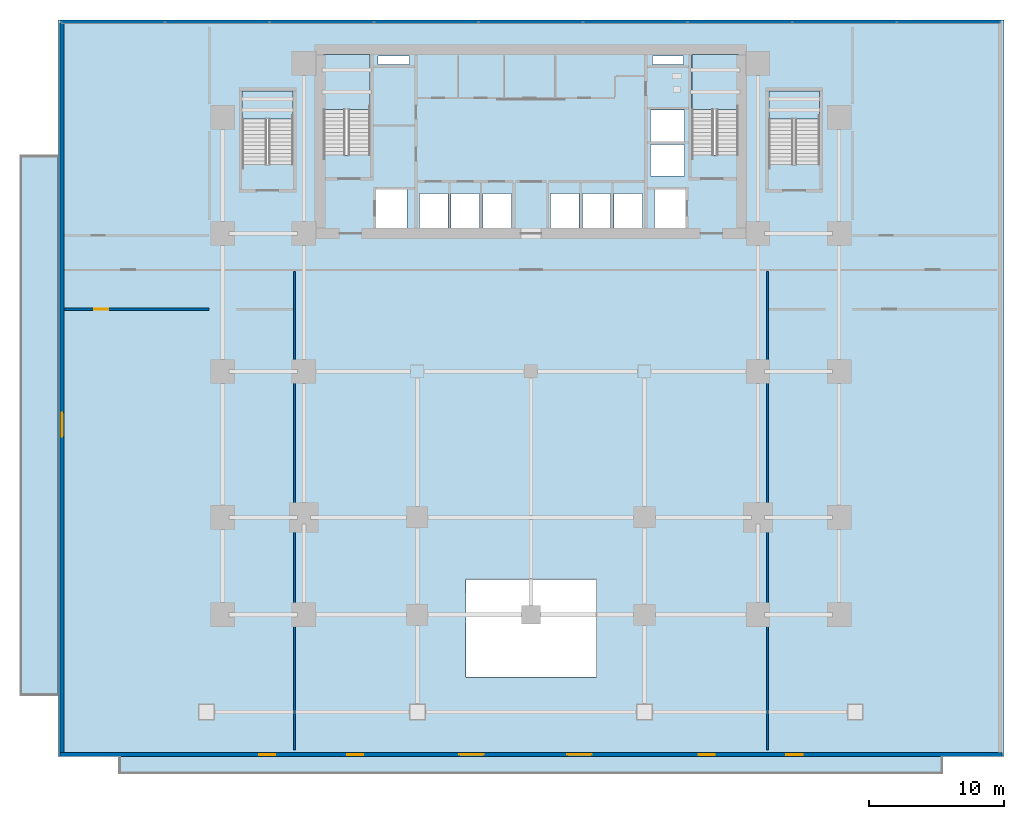
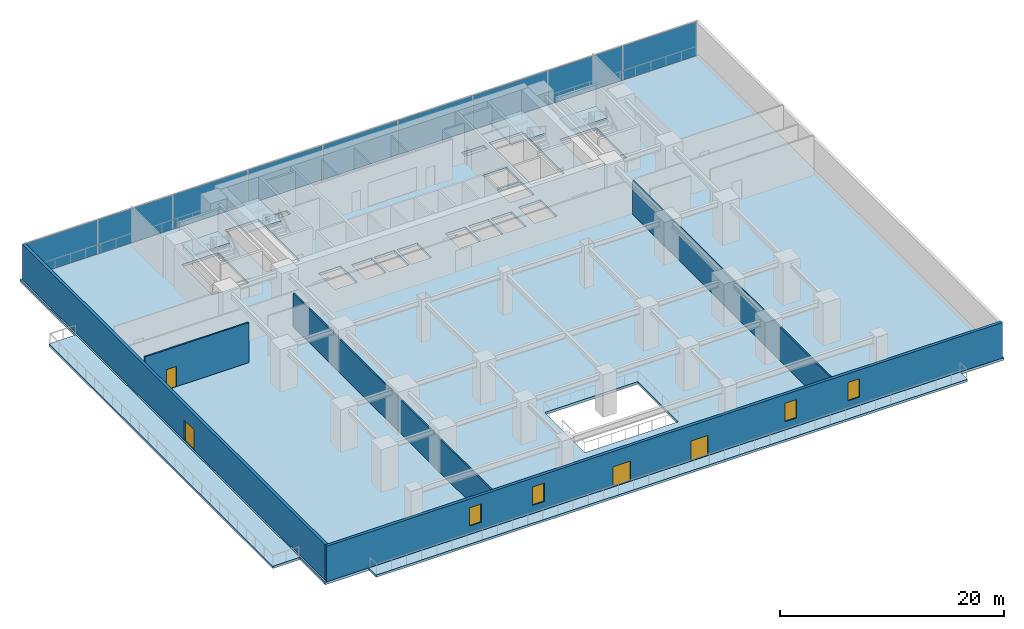
# One storey, part 8 of 17: 9 plates, 7 slabs, 5 walls, 4 doors, 4 windows, 8 openings, 5 elements without a shape of their own.
"""IFC4 building model written with IfcOpenShell, lengths in metres."""

from ifc_helpers import new_model, si_unit, direction, frame, frame_2d, origin, origin_2d, place, context, subcontext, project, spatial, polyline, rectangle, outline, extrude, source, transform, mapped, material, layer, layer_set, type_object, element, fill, aggregate, save


model = new_model("IFC4")

# Units and contexts
model_context = context("Model", 3, precision=1e-05, world=origin(), true_north=direction((0.0, 1.0)))
body_context = subcontext(model_context, "Body", "Model", "MODEL_VIEW")
ifc_project = project(units=[si_unit("LENGTHUNIT", "METRE"), si_unit("AREAUNIT", "SQUARE_METRE"), si_unit("VOLUMEUNIT", "CUBIC_METRE"), si_unit("PLANEANGLEUNIT", "RADIAN"), si_unit("MASSUNIT", "GRAM", prefix="KILO")], contexts=[model_context])

# Site, building, storey
site_placement = place(None, origin())
site = spatial("IfcSite", under=ifc_project, at=site_placement, CompositionType="ELEMENT")
building_placement = place(site_placement, origin())
building = spatial("IfcBuilding", under=site, at=building_placement, Name="Sumidabori Civic Tower", CompositionType="ELEMENT")
storey_placement = place(building_placement, frame((0.0, 0.0, 9.64990234375)))
storey = spatial("IfcBuildingStorey", under=building, at=storey_placement, Name="L02", CompositionType="ELEMENT", Elevation=9.64990234375)

# Stair, slab
ifc_material_1 = material(Name="Concrete C40/50", Category="concrete")
stair_type_1 = type_object("IfcStairType", Name="ST-CORE-1600", PredefinedType="HALF_TURN_STAIR", material=ifc_material_1)
stair_1_placement = place(storey_placement, origin())
stair_1 = element("IfcStair", 1, at=stair_1_placement, inside=storey, type_object=stair_type_1, Name="L02 ST-1", PredefinedType="HALF_TURN_STAIR")
ifc_layer_1 = layer(ifc_material_1, 0.199951171875, Name="Concrete C40/50")
ifc_layer_set_1 = layer_set([ifc_layer_1], Name="Concrete C40/50")
slab_type_1 = type_object("IfcSlabType", Name="SL-LAND-200", PredefinedType="LANDING", material=ifc_layer_set_1)
slab_1_placement = place(storey_placement, frame((0.0, 0.0, 2.125)))
slab_1 = element("IfcSlab", 2, at=slab_1_placement, type_object=slab_type_1, Name="ST-1 landing 1", PredefinedType="LANDING", context=body_context, shape_type="SweptSolid", body=[
    extrude(outline(polyline([(-11.89990234375, 19.360107421875), (-11.89990234375, 23.449951171875), (-15.340087890625, 23.449951171875), (-15.340087890625, 19.360107421875), (-11.89990234375, 19.360107421875)])), origin(), (0.0, 0.0, 1.0), 0.2001953125),
])
aggregate(stair_1, [slab_1])

stair_2_placement = place(storey_placement, origin())
stair_2 = element("IfcStair", 3, at=stair_2_placement, inside=storey, type_object=stair_type_1, Name="L02 ST-2", PredefinedType="HALF_TURN_STAIR")
slab_2_placement = place(storey_placement, frame((0.0, 0.0, 2.125)))
slab_2 = element("IfcSlab", 4, at=slab_2_placement, type_object=slab_type_1, Name="ST-2 landing 1", PredefinedType="LANDING", context=body_context, shape_type="SweptSolid", body=[
    extrude(outline(polyline([(15.340087890625, 19.360107421875), (15.340087890625, 23.449951171875), (11.89990234375, 23.449951171875), (11.89990234375, 19.360107421875), (15.340087890625, 19.360107421875)])), origin(), (0.0, 0.0, 1.0), 0.2001953125),
])
aggregate(stair_2, [slab_2])

stair_type_2 = type_object("IfcStairType", Name="ST-POD-1800", PredefinedType="HALF_TURN_STAIR", material=ifc_material_1)
stair_3_placement = place(storey_placement, origin())
stair_3 = element("IfcStair", 5, at=stair_3_placement, inside=storey, type_object=stair_type_2, Name="L02 ST-3", PredefinedType="HALF_TURN_STAIR")
slab_3_placement = place(storey_placement, frame((0.0, 0.0, 2.125)))
slab_3 = element("IfcSlab", 6, at=slab_3_placement, type_object=slab_type_1, Name="ST-3 landing 1", PredefinedType="LANDING", context=body_context, shape_type="SweptSolid", body=[
    extrude(outline(polyline([(-17.60009765625, 18.659912109375), (-17.60009765625, 20.739990234375), (-21.360107421875, 20.739990234375), (-21.360107421875, 18.659912109375), (-17.60009765625, 18.659912109375)])), origin(), (0.0, 0.0, 1.0), 0.2001953125),
])
aggregate(stair_3, [slab_3])

stair_4_placement = place(storey_placement, origin())
stair_4 = element("IfcStair", 7, at=stair_4_placement, inside=storey, type_object=stair_type_2, Name="L02 ST-4", PredefinedType="HALF_TURN_STAIR")
slab_4_placement = place(storey_placement, frame((0.0, 0.0, 2.125)))
slab_4 = element("IfcSlab", 8, at=slab_4_placement, type_object=slab_type_1, Name="ST-4 landing 1", PredefinedType="LANDING", context=body_context, shape_type="SweptSolid", body=[
    extrude(outline(polyline([(21.360107421875, 18.659912109375), (21.360107421875, 20.739990234375), (17.60009765625, 20.739990234375), (17.60009765625, 18.659912109375), (21.360107421875, 18.659912109375)])), origin(), (0.0, 0.0, 1.0), 0.2001953125),
])
aggregate(stair_4, [slab_4])

# Slabs
ifc_layer_2 = layer(ifc_material_1, 0.280029296875, Name="Concrete C40/50")
ifc_layer_set_2 = layer_set([ifc_layer_2], Name="Concrete C40/50")
slab_type_2 = type_object("IfcSlabType", Name="SL-POD-280", PredefinedType="FLOOR", material=ifc_layer_set_2)
slab_5_placement = place(storey_placement, frame((0.0, 0.0, -0.27978515625)))
element("IfcSlab", 9, at=slab_5_placement, inside=storey, type_object=slab_type_2, Name="Structural Slab L02", PredefinedType="FLOOR", context=body_context, shape_type="SweptSolid", body=[
    extrude(outline(polyline([(-35.0, -28.5), (35.0, -28.5), (35.0, 26.0), (-35.0, 26.0), (-35.0, -28.5)]), holes=[polyline([(-11.89990234375, 16.0), (-11.89990234375, 23.449951171875), (-15.340087890625, 23.449951171875), (-15.340087890625, 16.0), (-11.89990234375, 16.0)]), polyline([(15.340087890625, 16.0), (15.340087890625, 23.449951171875), (11.89990234375, 23.449951171875), (11.89990234375, 16.0), (15.340087890625, 16.0)]), polyline([(-17.60009765625, 15.300048828125), (-17.60009765625, 20.739990234375), (-21.360107421875, 20.739990234375), (-21.360107421875, 15.300048828125), (-17.60009765625, 15.300048828125)]), polyline([(21.360107421875, 15.300048828125), (21.360107421875, 20.739990234375), (17.60009765625, 20.739990234375), (17.60009765625, 15.300048828125), (21.360107421875, 15.300048828125)]), polyline([(-11.449951171875, 10.550048828125), (-9.14990234375, 10.550048828125), (-9.14990234375, 13.449951171875), (-11.449951171875, 13.449951171875), (-11.449951171875, 10.550048828125)]), polyline([(9.14990234375, 10.550048828125), (11.449951171875, 10.550048828125), (11.449951171875, 13.449951171875), (9.14990234375, 13.449951171875), (9.14990234375, 10.550048828125)]), polyline([(-8.25, 10.550048828125), (-6.14990234375, 10.550048828125), (-6.14990234375, 13.14990234375), (-8.25, 13.14990234375), (-8.25, 10.550048828125)]), polyline([(-5.89990234375, 10.550048828125), (-3.800048828125, 10.550048828125), (-3.800048828125, 13.14990234375), (-5.89990234375, 13.14990234375), (-5.89990234375, 10.550048828125)]), polyline([(-3.550048828125, 10.550048828125), (-1.449951171875, 10.550048828125), (-1.449951171875, 13.14990234375), (-3.550048828125, 13.14990234375), (-3.550048828125, 10.550048828125)]), polyline([(1.449951171875, 10.550048828125), (3.550048828125, 10.550048828125), (3.550048828125, 13.14990234375), (1.449951171875, 13.14990234375), (1.449951171875, 10.550048828125)]), polyline([(3.800048828125, 10.550048828125), (5.89990234375, 10.550048828125), (5.89990234375, 13.14990234375), (3.800048828125, 13.14990234375), (3.800048828125, 10.550048828125)]), polyline([(6.14990234375, 10.550048828125), (8.25, 10.550048828125), (8.25, 13.14990234375), (6.14990234375, 13.14990234375), (6.14990234375, 10.550048828125)]), polyline([(8.85009765625, 14.449951171875), (11.35009765625, 14.449951171875), (11.35009765625, 16.800048828125), (8.85009765625, 16.800048828125), (8.85009765625, 14.449951171875)]), polyline([(8.85009765625, 17.0), (11.35009765625, 17.0), (11.35009765625, 19.35009765625), (8.85009765625, 19.35009765625), (8.85009765625, 17.0)]), polyline([(-11.300048828125, 22.719970703125), (-9.0, 22.719970703125), (-9.0, 23.35009765625), (-11.300048828125, 23.35009765625), (-11.300048828125, 22.719970703125)]), polyline([(9.0, 22.719970703125), (11.300048828125, 22.719970703125), (11.300048828125, 23.35009765625), (9.0, 23.35009765625), (9.0, 22.719970703125)]), polyline([(-4.800048828125, -22.60009765625), (4.800048828125, -22.60009765625), (4.800048828125, -15.39990234375), (-4.800048828125, -15.39990234375), (-4.800048828125, -22.60009765625)])]), origin(), (0.0, 0.0, 1.0), 0.27978515625),
])
ifc_layer_3 = layer(ifc_material_1, 0.25, Name="Concrete C40/50")
ifc_layer_set_3 = layer_set([ifc_layer_3], Name="Concrete C40/50")
slab_type_3 = type_object("IfcSlabType", Name="SL-TER-250", PredefinedType="FLOOR", material=ifc_layer_set_3)
slab_6_placement = place(storey_placement, frame((0.0, 0.0, -0.25)))
element("IfcSlab", 10, at=slab_6_placement, inside=storey, type_object=slab_type_3, Name="Planted Podium Roof Terrace TER-L02-S", PredefinedType="FLOOR", context=body_context, shape_type="SweptSolid", body=[
    extrude(outline(polyline([(-30.5, -29.800048828125), (30.5, -29.800048828125), (30.5, -28.5), (-30.5, -28.5), (-30.5, -29.800048828125)])), origin(), (0.0, 0.0, 1.0), 0.25),
])
slab_7_placement = place(storey_placement, frame((0.0, 0.0, -0.25)))
element("IfcSlab", 11, at=slab_7_placement, inside=storey, type_object=slab_type_3, Name="Planted Podium Roof Terrace TER-L02-W", PredefinedType="FLOOR", context=body_context, shape_type="SweptSolid", body=[
    extrude(outline(polyline([(-37.800048828125, -24.0), (-35.0, -24.0), (-35.0, 16.0), (-37.800048828125, 16.0), (-37.800048828125, -24.0)])), origin(), (0.0, 0.0, 1.0), 0.25),
])

# Curtain wall, plates
ifc_material_2 = material(Name="Anodised Bronze Aluminium AW-6063-T6", Category="aluminium")
ifc_layer_4 = layer(ifc_material_2, 0.179931640625, Name="Anodised Bronze Aluminium AW-6063-T6")
ifc_layer_set_4 = layer_set([ifc_layer_4], Name="Anodised Bronze Aluminium AW-6063-T6")
curtain_wall_type = type_object("IfcCurtainWallType", Name="CW-SYS-1", PredefinedType="NOTDEFINED", material=ifc_layer_set_4)
curtain_wall_placement = place(storey_placement, origin())
curtain_wall = element("IfcCurtainWall", 12, at=curtain_wall_placement, inside=storey, type_object=curtain_wall_type, Name="Curtain Wall CW:L02:NORTH", PredefinedType="NOTDEFINED")
ifc_material_3 = material(Name="Low-E Vision Double Glazing", Category="glass")
ifc_layer_5 = layer(ifc_material_3, 0.031982421875, Name="Low-E Vision Double Glazing")
ifc_layer_set_5 = layer_set([ifc_layer_5], Name="Low-E Vision Double Glazing")
plate_type = type_object("IfcPlateType", Name="CW-PNL-32", PredefinedType="CURTAIN_PANEL", material=ifc_layer_set_5)
shared_shape_1 = source(origin(), body_context, "Body", "SweptSolid", [
    extrude(rectangle(XDim=7.62841796875, YDim=0.031982421875, at=origin_2d()), origin(), (0.0, 0.0, 1.0), 3.739990234375),
])
plate_1_placement = place(storey_placement, frame((-30.915771484375, 25.85009765625, 0.06494140625), z_axis=(0.0, 0.0, 1.0), x_axis=(1.0, 0.0, 0.0)))
plate_1 = element("IfcPlate", 13, at=plate_1_placement, type_object=plate_type, Name="CW-1 panel 1.1", PredefinedType="CURTAIN_PANEL", context=body_context, shape_type="MappedRepresentation", body=[
    mapped(shared_shape_1, transform((0.0, 0.0, 0.0), x_axis=(1.0, 0.0, 0.0), y_axis=(0.0, 1.0, 0.0), z_axis=(0.0, 0.0, 1.0), scale=1.0)),
])
plate_2_placement = place(storey_placement, frame((30.915771484375, 25.85009765625, 0.06494140625), z_axis=(0.0, 0.0, 1.0), x_axis=(1.0, 0.0, 0.0)))
plate_2 = element("IfcPlate", 14, at=plate_2_placement, type_object=plate_type, Name="CW-1 panel 9.1", PredefinedType="CURTAIN_PANEL", context=body_context, shape_type="MappedRepresentation", body=[
    mapped(shared_shape_1, transform((0.0, 0.0, 0.0), x_axis=(1.0, 0.0, 0.0), y_axis=(0.0, 1.0, 0.0), z_axis=(0.0, 0.0, 1.0), scale=1.0)),
])
shared_shape_2 = source(origin(), body_context, "Body", "SweptSolid", [
    extrude(rectangle(XDim=7.663330078125, YDim=0.031982421875, at=origin_2d()), origin(), (0.0, 0.0, 1.0), 3.739990234375),
])
plate_3_placement = place(storey_placement, frame((-23.199951171875, 25.85009765625, 0.06494140625), z_axis=(0.0, 0.0, 1.0), x_axis=(1.0, 0.0, 0.0)))
plate_3 = element("IfcPlate", 15, at=plate_3_placement, type_object=plate_type, Name="CW-1 panel 2.1", PredefinedType="CURTAIN_PANEL", context=body_context, shape_type="MappedRepresentation", body=[
    mapped(shared_shape_2, transform((0.0, 0.0, 0.0), x_axis=(1.0, 0.0, 0.0), y_axis=(0.0, 1.0, 0.0), z_axis=(0.0, 0.0, 1.0), scale=1.0)),
])
plate_4_placement = place(storey_placement, frame((-15.466552734375, 25.85009765625, 0.06494140625), z_axis=(0.0, 0.0, 1.0), x_axis=(1.0, 0.0, 0.0)))
plate_4 = element("IfcPlate", 16, at=plate_4_placement, type_object=plate_type, Name="CW-1 panel 3.1", PredefinedType="CURTAIN_PANEL", context=body_context, shape_type="MappedRepresentation", body=[
    mapped(shared_shape_2, transform((0.0, 0.0, 0.0), x_axis=(1.0, 0.0, 0.0), y_axis=(0.0, 1.0, 0.0), z_axis=(0.0, 0.0, 1.0), scale=1.0)),
])
plate_5_placement = place(storey_placement, frame((-7.7333984375, 25.85009765625, 0.06494140625), z_axis=(0.0, 0.0, 1.0), x_axis=(1.0, 0.0, 0.0)))
plate_5 = element("IfcPlate", 17, at=plate_5_placement, type_object=plate_type, Name="CW-1 panel 4.1", PredefinedType="CURTAIN_PANEL", context=body_context, shape_type="MappedRepresentation", body=[
    mapped(shared_shape_2, transform((0.0, 0.0, 0.0), x_axis=(1.0, 0.0, 0.0), y_axis=(0.0, 1.0, 0.0), z_axis=(0.0, 0.0, 1.0), scale=1.0)),
])
plate_6_placement = place(storey_placement, frame((0.0, 25.85009765625, 0.06494140625), z_axis=(0.0, 0.0, 1.0), x_axis=(1.0, 0.0, 0.0)))
plate_6 = element("IfcPlate", 18, at=plate_6_placement, type_object=plate_type, Name="CW-1 panel 5.1", PredefinedType="CURTAIN_PANEL", context=body_context, shape_type="MappedRepresentation", body=[
    mapped(shared_shape_2, transform((0.0, 0.0, 0.0), x_axis=(1.0, 0.0, 0.0), y_axis=(0.0, 1.0, 0.0), z_axis=(0.0, 0.0, 1.0), scale=1.0)),
])
plate_7_placement = place(storey_placement, frame((7.7333984375, 25.85009765625, 0.06494140625), z_axis=(0.0, 0.0, 1.0), x_axis=(1.0, 0.0, 0.0)))
plate_7 = element("IfcPlate", 19, at=plate_7_placement, type_object=plate_type, Name="CW-1 panel 6.1", PredefinedType="CURTAIN_PANEL", context=body_context, shape_type="MappedRepresentation", body=[
    mapped(shared_shape_2, transform((0.0, 0.0, 0.0), x_axis=(1.0, 0.0, 0.0), y_axis=(0.0, 1.0, 0.0), z_axis=(0.0, 0.0, 1.0), scale=1.0)),
])
plate_8_placement = place(storey_placement, frame((15.466552734375, 25.85009765625, 0.06494140625), z_axis=(0.0, 0.0, 1.0), x_axis=(1.0, 0.0, 0.0)))
plate_8 = element("IfcPlate", 20, at=plate_8_placement, type_object=plate_type, Name="CW-1 panel 7.1", PredefinedType="CURTAIN_PANEL", context=body_context, shape_type="MappedRepresentation", body=[
    mapped(shared_shape_2, transform((0.0, 0.0, 0.0), x_axis=(1.0, 0.0, 0.0), y_axis=(0.0, 1.0, 0.0), z_axis=(0.0, 0.0, 1.0), scale=1.0)),
])
plate_9_placement = place(storey_placement, frame((23.199951171875, 25.85009765625, 0.06494140625), z_axis=(0.0, 0.0, 1.0), x_axis=(1.0, 0.0, 0.0)))
plate_9 = element("IfcPlate", 21, at=plate_9_placement, type_object=plate_type, Name="CW-1 panel 8.1", PredefinedType="CURTAIN_PANEL", context=body_context, shape_type="MappedRepresentation", body=[
    mapped(shared_shape_2, transform((0.0, 0.0, 0.0), x_axis=(1.0, 0.0, 0.0), y_axis=(0.0, 1.0, 0.0), z_axis=(0.0, 0.0, 1.0), scale=1.0)),
])
aggregate(curtain_wall, [plate_1, plate_3, plate_4, plate_5, plate_6, plate_7, plate_8, plate_9, plate_2])

# Wall, openings, doors, windows
ifc_material_4 = material(Name="Precast concrete C40/50", Category="concrete")
ifc_layer_6 = layer(ifc_material_4, 0.300048828125, Name="Precast concrete C40/50")
ifc_layer_set_6 = layer_set([ifc_layer_6], Name="Precast concrete C40/50")
wall_type_1 = type_object("IfcWallType", Name="WL-EXT-POD300", PredefinedType="STANDARD", material=ifc_layer_set_6)
shared_shape_3 = source(origin(), body_context, "Body", "SweptSolid", [
    extrude(rectangle(XDim=69.7001953125, YDim=0.300048828125, at=frame_2d((34.85009765625, 0.0))), origin(), (0.0, 0.0, 1.0), 3.8701171875),
])
wall_1_placement = place(storey_placement, frame((34.85009765625, -28.35009765625, 0.0), z_axis=(0.0, 0.0, 1.0), x_axis=(-1.0, 0.0, 0.0)))
wall_1 = element("IfcWall", 22, at=wall_1_placement, inside=storey, type_object=wall_type_1, Name="Podium South Wall L02", PredefinedType="STANDARD", context=body_context, shape_type="MappedRepresentation", body=[
    mapped(shared_shape_3, transform((0.0, 0.0, 0.0), x_axis=(1.0, 0.0, 0.0), y_axis=(0.0, 1.0, 0.0), z_axis=(0.0, 0.0, 1.0), scale=1.0)),
])
opening_1_placement = place(wall_1_placement, frame((14.75, 0.0, 0.89990234375)))
opening_1 = element("IfcOpeningElement", 23, at=opening_1_placement, cuts=wall_1, Name="Opening WN-7", PredefinedType="OPENING", context=body_context, shape_type="SweptSolid", body=[
    extrude(rectangle(XDim=1.199951171875, YDim=2.0, at=frame_2d((0.60009765625, 1.0))), frame((0.0, 0.162109375, 0.0), z_axis=(0.0, -1.0, 0.0), x_axis=(1.0, 0.0, 0.0)), (0.0, 0.0, 1.0), 0.323974609375),
])
opening_2_placement = place(wall_1_placement, frame((21.25, 0.0, 0.89990234375)))
opening_2 = element("IfcOpeningElement", 24, at=opening_2_placement, cuts=wall_1, Name="Opening WN-7", PredefinedType="OPENING", context=body_context, shape_type="SweptSolid", body=[
    extrude(rectangle(XDim=1.199951171875, YDim=2.0, at=frame_2d((0.60009765625, 1.0))), frame((0.0, 0.162109375, 0.0), z_axis=(0.0, -1.0, 0.0), x_axis=(1.0, 0.0, 0.0)), (0.0, 0.0, 1.0), 0.323974609375),
])
opening_3_placement = place(wall_1_placement, frame((47.25, 0.0, 0.89990234375)))
opening_3 = element("IfcOpeningElement", 25, at=opening_3_placement, cuts=wall_1, Name="Opening WN-7", PredefinedType="OPENING", context=body_context, shape_type="SweptSolid", body=[
    extrude(rectangle(XDim=1.199951171875, YDim=2.0, at=frame_2d((0.60009765625, 1.0))), frame((0.0, 0.162109375, 0.0), z_axis=(0.0, -1.0, 0.0), x_axis=(1.0, 0.0, 0.0)), (0.0, 0.0, 1.0), 0.323974609375),
])
opening_4_placement = place(wall_1_placement, frame((53.75, 0.0, 0.89990234375)))
opening_4 = element("IfcOpeningElement", 26, at=opening_4_placement, cuts=wall_1, Name="Opening WN-7", PredefinedType="OPENING", context=body_context, shape_type="SweptSolid", body=[
    extrude(rectangle(XDim=1.199951171875, YDim=2.0, at=frame_2d((0.60009765625, 1.0))), frame((0.0, 0.162109375, 0.0), z_axis=(0.0, -1.0, 0.0), x_axis=(1.0, 0.0, 0.0)), (0.0, 0.0, 1.0), 0.323974609375),
])
opening_5_placement = place(wall_1_placement, frame((30.35009765625, 0.0, 0.0)))
opening_5 = element("IfcOpeningElement", 27, at=opening_5_placement, cuts=wall_1, Name="Opening DT-1", PredefinedType="OPENING", context=body_context, shape_type="SweptSolid", body=[
    extrude(rectangle(XDim=1.800048828125, YDim=2.199951171875, at=frame_2d((0.89990234375, 1.10009765625))), frame((0.0, 0.162109375, 0.0), z_axis=(0.0, -1.0, 0.0), x_axis=(1.0, 0.0, 0.0)), (0.0, 0.0, 1.0), 0.323974609375),
])
opening_6_placement = place(wall_1_placement, frame((38.35009765625, 0.0, 0.0)))
opening_6 = element("IfcOpeningElement", 28, at=opening_6_placement, cuts=wall_1, Name="Opening DT-1", PredefinedType="OPENING", context=body_context, shape_type="SweptSolid", body=[
    extrude(rectangle(XDim=1.800048828125, YDim=2.199951171875, at=frame_2d((0.89990234375, 1.10009765625))), frame((0.0, 0.162109375, 0.0), z_axis=(0.0, -1.0, 0.0), x_axis=(1.0, 0.0, 0.0)), (0.0, 0.0, 1.0), 0.323974609375),
])
door_type_1 = type_object("IfcDoorType", Name="DR-EXT-TER", OperationType="DOUBLE_DOOR_SINGLE_SWING", PredefinedType="DOOR", material=ifc_material_2)
shared_shape_4 = source(origin(), body_context, "Body", "SweptSolid", [
    extrude(rectangle(XDim=1.800048828125, YDim=2.199951171875, at=frame_2d((0.89990234375, 1.10009765625))), frame((0.0, 0.02490234375, 0.0), z_axis=(0.0, -1.0, 0.0), x_axis=(1.0, 0.0, 0.0)), (0.0, 0.0, 1.0), 0.050048828125),
])
door_1_placement = place(opening_5_placement, origin())
door_1 = element("IfcDoor", 29, at=door_1_placement, inside=storey, type_object=door_type_1, Name="Terrace Access Door TER-L02-S-1", OperationType="DOUBLE_DOOR_SINGLE_SWING", OverallHeight=2.199951171875, OverallWidth=1.800048828125, PredefinedType="DOOR", context=body_context, shape_type="MappedRepresentation", body=[
    mapped(shared_shape_4, transform((0.0, 0.0, 0.0), x_axis=(1.0, 0.0, 0.0), y_axis=(0.0, 1.0, 0.0), z_axis=(0.0, 0.0, 1.0), scale=1.0)),
])
fill(opening_5, door_1)
door_2_placement = place(opening_6_placement, origin())
door_2 = element("IfcDoor", 30, at=door_2_placement, inside=storey, type_object=door_type_1, Name="Terrace Access Door TER-L02-S-2", OperationType="DOUBLE_DOOR_SINGLE_SWING", OverallHeight=2.199951171875, OverallWidth=1.800048828125, PredefinedType="DOOR", context=body_context, shape_type="MappedRepresentation", body=[
    mapped(shared_shape_4, transform((0.0, 0.0, 0.0), x_axis=(1.0, 0.0, 0.0), y_axis=(0.0, 1.0, 0.0), z_axis=(0.0, 0.0, 1.0), scale=1.0)),
])
fill(opening_6, door_2)
window_type = type_object("IfcWindowType", Name="WN-POD-1200", PartitioningType="SINGLE_PANEL", PredefinedType="WINDOW", material=ifc_material_3)
shared_shape_5 = source(origin(), body_context, "Body", "SweptSolid", [
    extrude(rectangle(XDim=1.199951171875, YDim=2.0, at=frame_2d((0.60009765625, 1.0))), frame((0.0, 0.030029296875, 0.0), z_axis=(0.0, -1.0, 0.0), x_axis=(1.0, 0.0, 0.0)), (0.0, 0.0, 1.0), 0.06005859375),
])
window_1_placement = place(opening_1_placement, origin())
window_1 = element("IfcWindow", 31, at=window_1_placement, inside=storey, type_object=window_type, Name="Podium Window L02-S1", OverallHeight=2.0, OverallWidth=1.199951171875, PartitioningType="SINGLE_PANEL", PredefinedType="WINDOW", context=body_context, shape_type="MappedRepresentation", body=[
    mapped(shared_shape_5, transform((0.0, 0.0, 0.0), x_axis=(1.0, 0.0, 0.0), y_axis=(0.0, 1.0, 0.0), z_axis=(0.0, 0.0, 1.0), scale=1.0)),
])
fill(opening_1, window_1)
window_2_placement = place(opening_2_placement, origin())
window_2 = element("IfcWindow", 32, at=window_2_placement, inside=storey, type_object=window_type, Name="Podium Window L02-S2", OverallHeight=2.0, OverallWidth=1.199951171875, PartitioningType="SINGLE_PANEL", PredefinedType="WINDOW", context=body_context, shape_type="MappedRepresentation", body=[
    mapped(shared_shape_5, transform((0.0, 0.0, 0.0), x_axis=(1.0, 0.0, 0.0), y_axis=(0.0, 1.0, 0.0), z_axis=(0.0, 0.0, 1.0), scale=1.0)),
])
fill(opening_2, window_2)
window_3_placement = place(opening_3_placement, origin())
window_3 = element("IfcWindow", 33, at=window_3_placement, inside=storey, type_object=window_type, Name="Podium Window L02-S3", OverallHeight=2.0, OverallWidth=1.199951171875, PartitioningType="SINGLE_PANEL", PredefinedType="WINDOW", context=body_context, shape_type="MappedRepresentation", body=[
    mapped(shared_shape_5, transform((0.0, 0.0, 0.0), x_axis=(1.0, 0.0, 0.0), y_axis=(0.0, 1.0, 0.0), z_axis=(0.0, 0.0, 1.0), scale=1.0)),
])
fill(opening_3, window_3)
window_4_placement = place(opening_4_placement, origin())
window_4 = element("IfcWindow", 34, at=window_4_placement, inside=storey, type_object=window_type, Name="Podium Window L02-S4", OverallHeight=2.0, OverallWidth=1.199951171875, PartitioningType="SINGLE_PANEL", PredefinedType="WINDOW", context=body_context, shape_type="MappedRepresentation", body=[
    mapped(shared_shape_5, transform((0.0, 0.0, 0.0), x_axis=(1.0, 0.0, 0.0), y_axis=(0.0, 1.0, 0.0), z_axis=(0.0, 0.0, 1.0), scale=1.0)),
])
fill(opening_4, window_4)

# Wall, opening, door
shared_shape_6 = source(origin(), body_context, "Body", "SweptSolid", [
    extrude(rectangle(XDim=53.989990234375, YDim=0.300048828125, at=frame_2d((26.9951171875, 0.0))), origin(), (0.0, 0.0, 1.0), 3.8701171875),
])
wall_2_placement = place(storey_placement, frame((-34.699951171875, -28.199951171875, 0.0), z_axis=(0.0, 0.0, 1.0), x_axis=(0.0, 1.0, 0.0)))
wall_2 = element("IfcWall", 35, at=wall_2_placement, inside=storey, type_object=wall_type_1, Name="Podium West Wall L02", PredefinedType="STANDARD", context=body_context, shape_type="MappedRepresentation", body=[
    mapped(shared_shape_6, transform((0.0, 0.0, 0.0), x_axis=(1.0, 0.0, 0.0), y_axis=(0.0, 1.0, 0.0), z_axis=(0.0, 0.0, 1.0), scale=1.0)),
])
opening_7_placement = place(wall_2_placement, frame((23.35009765625, 0.0, 0.0)))
opening_7 = element("IfcOpeningElement", 36, at=opening_7_placement, cuts=wall_2, Name="Opening DT-1", PredefinedType="OPENING", context=body_context, shape_type="SweptSolid", body=[
    extrude(rectangle(XDim=1.800048828125, YDim=2.199951171875, at=frame_2d((0.89990234375, 1.10009765625))), frame((0.0, 0.162109375, 0.0), z_axis=(0.0, -1.0, 0.0), x_axis=(1.0, 0.0, 0.0)), (0.0, 0.0, 1.0), 0.323974609375),
])
door_3_placement = place(opening_7_placement, origin())
door_3 = element("IfcDoor", 37, at=door_3_placement, inside=storey, type_object=door_type_1, Name="Terrace Access Door TER-L02-W-1", OperationType="DOUBLE_DOOR_SINGLE_SWING", OverallHeight=2.199951171875, OverallWidth=1.800048828125, PredefinedType="DOOR", context=body_context, shape_type="MappedRepresentation", body=[
    mapped(shared_shape_4, transform((0.0, 0.0, 0.0), x_axis=(1.0, 0.0, 0.0), y_axis=(0.0, 1.0, 0.0), z_axis=(0.0, 0.0, 1.0), scale=1.0)),
])
fill(opening_7, door_3)

ifc_material_5 = material(Name="Gypsum Plasterboard Acoustic Partition")
ifc_layer_7 = layer(ifc_material_5, 0.14990234375, Name="Gypsum Plasterboard Acoustic Partition")
ifc_layer_set_7 = layer_set([ifc_layer_7], Name="Gypsum Plasterboard Acoustic Partition")
wall_type_2 = type_object("IfcWallType", Name="WL-PART-150", PredefinedType="PARTITIONING", material=ifc_layer_set_7)
shared_shape_7 = source(origin(), body_context, "Body", "SweptSolid", [
    extrude(rectangle(XDim=10.699951171875, YDim=0.14990234375, at=frame_2d((5.35009765625, 0.0))), origin(), (0.0, 0.0, 1.0), 4.3701171875),
])
wall_3_placement = place(storey_placement, frame((-34.5, 4.60009765625, 0.0), z_axis=(0.0, 0.0, 1.0), x_axis=(1.0, 0.0, 0.0)))
wall_3 = element("IfcWall", 38, at=wall_3_placement, inside=storey, type_object=wall_type_2, Name="Interior Partition WL:L02:SUB-W1", PredefinedType="PARTITIONING", context=body_context, shape_type="MappedRepresentation", body=[
    mapped(shared_shape_7, transform((0.0, 0.0, 0.0), x_axis=(1.0, 0.0, 0.0), y_axis=(0.0, 1.0, 0.0), z_axis=(0.0, 0.0, 1.0), scale=1.0)),
])
opening_8_placement = place(wall_3_placement, frame((2.199951171875, 0.0, 0.0)))
opening_8 = element("IfcOpeningElement", 39, at=opening_8_placement, cuts=wall_3, Name="Opening DR-4", PredefinedType="OPENING", context=body_context, shape_type="SweptSolid", body=[
    extrude(rectangle(XDim=1.0400390625, YDim=2.199951171875, at=frame_2d((0.52001953125, 1.10009765625))), frame((0.0, 0.0869140625, 0.0), z_axis=(0.0, -1.0, 0.0), x_axis=(1.0, 0.0, 0.0)), (0.0, 0.0, 1.0), 0.173828125),
])
ifc_material_6 = material(Name="Japanese Hinoki Timber", Category="wood")
door_type_2 = type_object("IfcDoorType", Name="DR-INT-1040", OperationType="NOTDEFINED", PredefinedType="DOOR", material=ifc_material_6)
shared_shape_8 = source(origin(), body_context, "Body", "SweptSolid", [
    extrude(rectangle(XDim=1.0400390625, YDim=2.199951171875, at=frame_2d((0.52001953125, 1.10009765625))), frame((0.0, 0.02490234375, 0.0), z_axis=(0.0, -1.0, 0.0), x_axis=(1.0, 0.0, 0.0)), (0.0, 0.0, 1.0), 0.050048828125),
])
door_4_placement = place(opening_8_placement, origin())
door_4 = element("IfcDoor", 40, at=door_4_placement, inside=storey, type_object=door_type_2, Name="Door DR:L02:PD-SW", OperationType="SINGLE_SWING_LEFT", OverallHeight=2.199951171875, OverallWidth=1.0400390625, PredefinedType="DOOR", context=body_context, shape_type="MappedRepresentation", body=[
    mapped(shared_shape_8, transform((0.0, 0.0, 0.0), x_axis=(1.0, 0.0, 0.0), y_axis=(0.0, 1.0, 0.0), z_axis=(0.0, 0.0, 1.0), scale=1.0)),
])
fill(opening_8, door_4)

# Walls
shared_shape_9 = source(origin(), body_context, "Body", "SweptSolid", [
    extrude(rectangle(XDim=35.3798828125, YDim=0.14990234375, at=frame_2d((17.68994140625, 0.0))), origin(), (0.0, 0.0, 1.0), 3.655029296875),
])
for number, where, z_axis, x_axis, name in (
    (41, (-17.5, -28.0, 0.0), (0.0, 0.0, 1.0), (0.0, 1.0, 0.0), "Interior Partition WL:L02:DIV-W"),
    (42, (17.5, -28.0, 0.0), (0.0, 0.0, 1.0), (0.0, 1.0, 0.0), "Interior Partition WL:L02:DIV-E"),
):
    element("IfcWall", number, at=place(storey_placement, frame(where, z_axis=z_axis, x_axis=x_axis)), inside=storey, type_object=wall_type_2, Name=name, PredefinedType="PARTITIONING", context=body_context, shape_type="MappedRepresentation", body=[
        mapped(shared_shape_9, transform((0.0, 0.0, 0.0), x_axis=(1.0, 0.0, 0.0), y_axis=(0.0, 1.0, 0.0), z_axis=(0.0, 0.0, 1.0), scale=1.0)),
    ])

save(model, "model.ifc")
